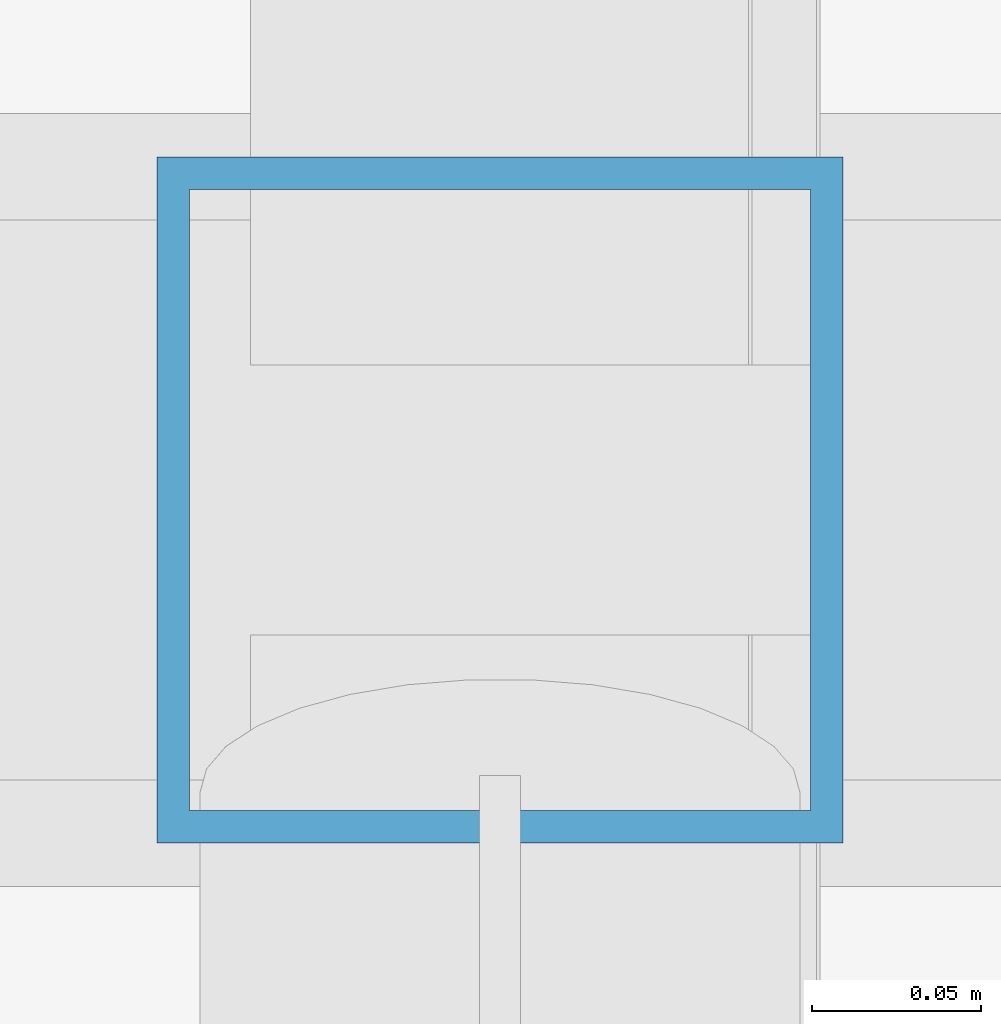
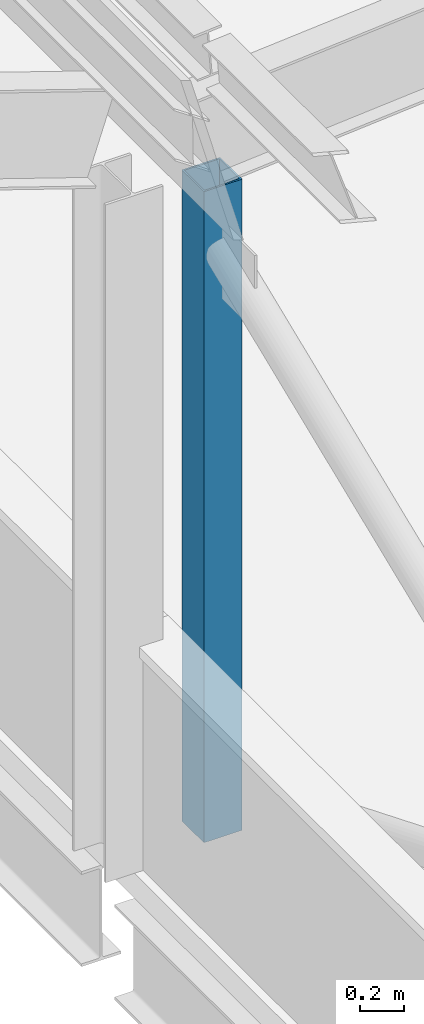
# One storey, part 69 of 483: 1 member.
"""IFC4 building model written with IfcOpenShell, lengths in metres."""

from ifc_helpers import new_model, si_unit, direction, frame, origin, origin_2d, place, context, subcontext, project, spatial, hollow_rectangle, extrude, material, material_profile, profile_set, type_object, element, save


model = new_model("IFC4")

# Units and contexts
model_context = context("Model", 3, precision=1e-05, world=origin(), true_north=direction((0.0, 1.0)))
body_context = subcontext(model_context, "Body", "Model", "MODEL_VIEW")
ifc_project = project(units=[si_unit("LENGTHUNIT", "METRE"), si_unit("AREAUNIT", "SQUARE_METRE"), si_unit("VOLUMEUNIT", "CUBIC_METRE"), si_unit("PLANEANGLEUNIT", "RADIAN"), si_unit("MASSUNIT", "GRAM", prefix="KILO")], contexts=[model_context])

# Site, building, storey
site_placement = place(None, origin())
site = spatial("IfcSite", under=ifc_project, at=site_placement, CompositionType="ELEMENT")
building_placement = place(site_placement, origin())
building = spatial("IfcBuilding", under=site, at=building_placement, Name="Parallax Yard Mobility Hub", CompositionType="ELEMENT")
storey_placement = place(building_placement, frame((0.0, 0.0, 13.199951171875)))
storey = spatial("IfcBuildingStorey", under=building, at=storey_placement, Name="L04", CompositionType="ELEMENT", Elevation=13.199951171875)

# Member
ifc_material = material(Name="Steel ASTM A500 Gr C", Category="steel")
ifc_material_profile = material_profile(ifc_material, hollow_rectangle(XDim=0.203125, YDim=0.203125, WallThickness=0.009521484375, at=origin_2d()), Name="HSS203x203x9.5")
ifc_profile_set = profile_set([ifc_material_profile], Name="Steel ASTM A500 Gr C")
member_type = type_object("IfcMemberType", Name="Canopy post HSS203x203x9.5", PredefinedType="POST", material=ifc_profile_set)
member_placement = place(storey_placement, frame((195.5, 45.0, 0.0), z_axis=(0.0, 0.0, 1.0), x_axis=(1.0, 0.0, 0.0)))
element("IfcMember", 1, at=member_placement, inside=storey, type_object=member_type, Name="Canopy post RA/E-A2", PredefinedType="POST", context=body_context, shape_type="SweptSolid", body=[
    extrude(hollow_rectangle(XDim=0.203125, YDim=0.203125, WallThickness=0.009521484375, at=origin_2d()), origin(), (0.0, 0.0, 1.0), 3.650146484375),
])

save(model, "model.ifc")
